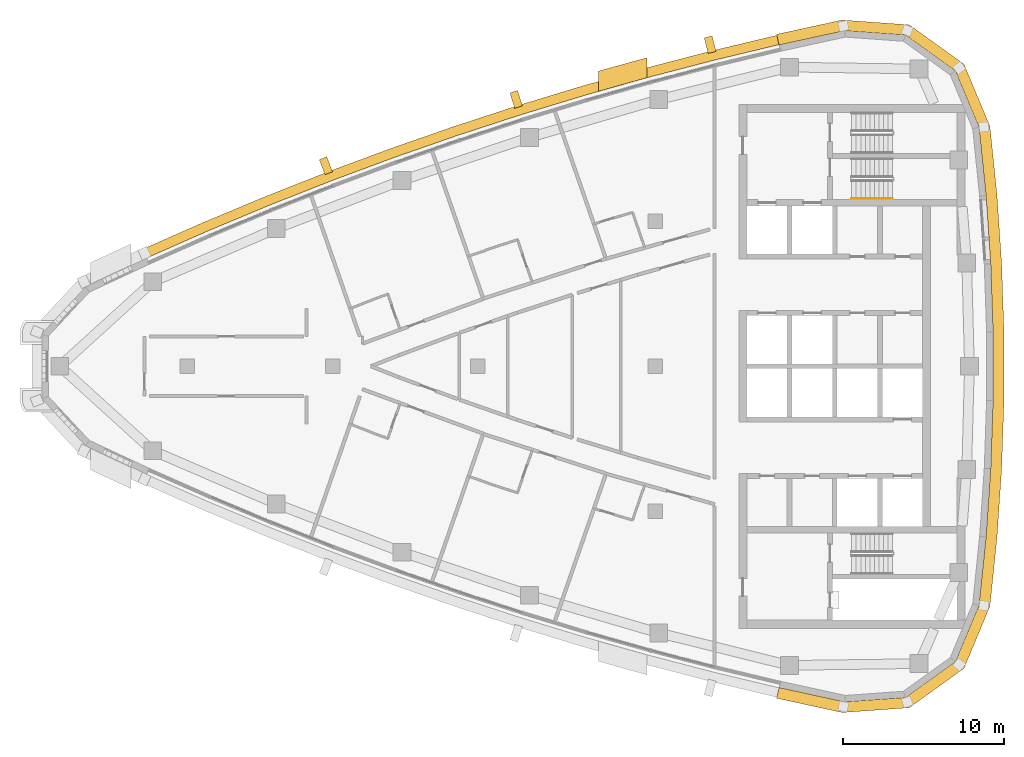
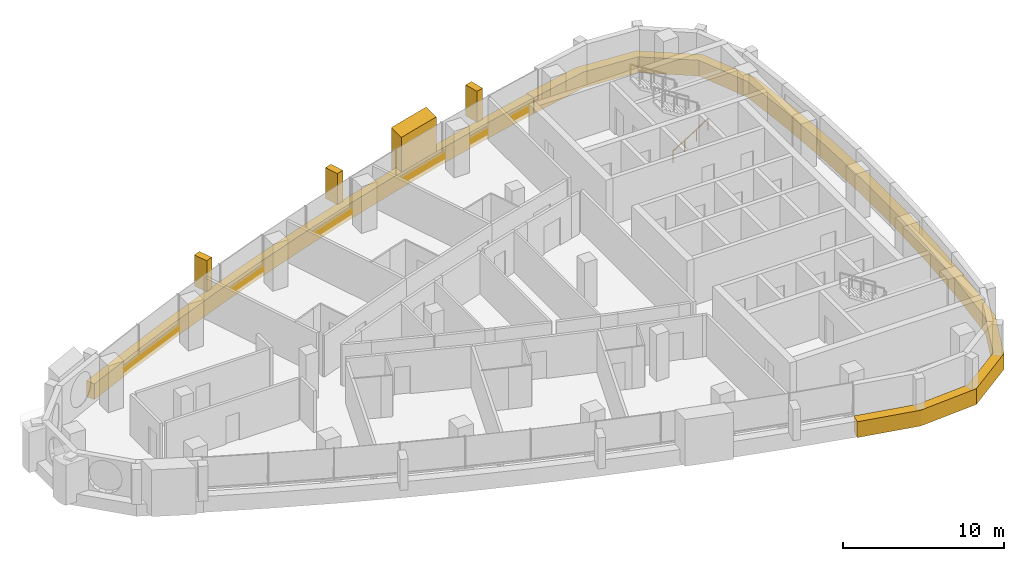
# One storey, part 13 of 14: 6 coverings, 1 railing.
"""IFC4 building model written with IfcOpenShell, lengths in metres."""

import ifcopenshell
import ifcopenshell.guid

model = None  # the IFC model being written
_history = None  # IfcOwnerHistory: only IFC2X3 demands one
_inside = {}  # id of a spatial element -> (the spatial element, [elements in it])
_under = {}  # id of a project, library or spatial element -> (it, [spatial elements below it])
_declared = {}  # id of a project -> (the project, [libraries it declares])
_typed = {}  # id of a type object -> (the type object, [elements of that type])
_made_of = {}  # id of a material, layer set ... -> (it, [elements and type objects made of it])


def new_model(schema):
    """Start an empty IFC model of exactly this schema.

    Asked for "IFC4X3", IfcOpenShell would pick the latest addendum, in which some entities
    have other attributes; the version numbers below select the first issue.
    IFC2X3 requires an IfcOwnerHistory on every rooted entity: one is made here for all.
    """
    global model, _history
    if schema == "IFC4X3":
        model = ifcopenshell.file(schema_version=(4, 3, 0, 0))
    else:
        model = ifcopenshell.file(schema=schema)
    _inside.clear()
    _under.clear()
    _declared.clear()
    _typed.clear()
    _made_of.clear()
    _history = None
    if model.schema == "IFC2X3":
        org = make("IfcOrganization", Name="unknown")
        user = make(
            "IfcPersonAndOrganization",
            ThePerson=make("IfcPerson", FamilyName="unknown"),
            TheOrganization=org,
        )
        app = make(
            "IfcApplication",
            ApplicationDeveloper=org,
            Version="unknown",
            ApplicationFullName="unknown",
            ApplicationIdentifier="unknown",
        )
        _history = make(
            "IfcOwnerHistory",
            OwningUser=user,
            OwningApplication=app,
            ChangeAction="ADDED",
            CreationDate=0,
        )
    return model


def make(cls, **values):
    """One entity of the class cls with the attributes given. An attribute that is None is left unset."""
    return model.create_entity(
        cls, **{name: value for name, value in values.items() if value is not None}
    )


def rooted(cls, **values):
    """An entity with a GlobalId (a new one), such as an element, a storey or a relation."""
    return make(cls, GlobalId=ifcopenshell.guid.new(), OwnerHistory=_history, **values)


def si_unit(unit_type, name, prefix=None):
    """IfcSIUnit, for example si_unit("LENGTHUNIT", "METRE", prefix="MILLI")."""
    return make("IfcSIUnit", UnitType=unit_type, Prefix=prefix, Name=name)


def assignment(units):
    """IfcUnitAssignment: the units of a project."""
    return None if units is None else make("IfcUnitAssignment", Units=units)


def point(xyz):
    """IfcCartesianPoint."""
    return None if xyz is None else make("IfcCartesianPoint", Coordinates=xyz)


def direction(xyz):
    """IfcDirection."""
    return None if xyz is None else make("IfcDirection", DirectionRatios=xyz)


def frame(location, z_axis=None, x_axis=None):
    """IfcAxis2Placement3D, a coordinate frame: its origin and axes. An axis left out is left unset."""
    return make(
        "IfcAxis2Placement3D",
        Location=point(location),
        Axis=direction(z_axis),
        RefDirection=direction(x_axis),
    )


def frame_2d(location, x_axis=None):
    """IfcAxis2Placement2D, a coordinate frame in the plane: its origin and x axis."""
    return make(
        "IfcAxis2Placement2D", Location=point(location), RefDirection=direction(x_axis)
    )


def origin():
    """The frame at (0, 0, 0) with its axes left unset."""
    return frame((0.0, 0.0, 0.0))


def origin_2d():
    """The frame at (0, 0) in the plane with its x axis left unset."""
    return frame_2d((0.0, 0.0))


def place(relative_to, where):
    """IfcLocalPlacement: puts the frame where relative to a parent placement (None: the world)."""
    return make(
        "IfcLocalPlacement", PlacementRelTo=relative_to, RelativePlacement=where
    )


def context(
    kind, dimensions, precision=None, world=None, true_north=None, identifier=None
):
    """IfcGeometricRepresentationContext, for example the 3D "Model" context."""
    return make(
        "IfcGeometricRepresentationContext",
        ContextIdentifier=identifier,
        ContextType=kind,
        CoordinateSpaceDimension=dimensions,
        Precision=precision,
        WorldCoordinateSystem=world,
        TrueNorth=true_north,
    )


def subcontext(parent, identifier, kind, view, scale=None):
    """IfcGeometricRepresentationSubContext, for example "Body" below "Model"."""
    return make(
        "IfcGeometricRepresentationSubContext",
        ContextIdentifier=identifier,
        ContextType=kind,
        ParentContext=parent,
        TargetScale=scale,
        TargetView=view,
    )


def project(units=None, contexts=None):
    """IfcProject with its units and contexts."""
    return rooted(
        "IfcProject",
        Name="project",
        RepresentationContexts=contexts,
        UnitsInContext=assignment(units),
    )


def spatial(cls, under=None, at=None, **own):
    """A site, building, storey or space (cls), placed at a placement, below another one or the project."""
    s = rooted(cls, ObjectPlacement=at, **own)
    if under is not None:
        _under.setdefault(under.id(), (under, []))[1].append(s)
    return s


def polyline(points):
    """IfcPolyline through the points."""
    return make("IfcPolyline", Points=[point(p) for p in points])


def profile(cls, at=None, kind="AREA", **sizes):
    """A parametric profile (cls). Its sizes go by their IFC names, for example OverallWidth=200.0."""
    return make(cls, ProfileType=kind, Position=at, **sizes)


def rectangle(**sizes):
    """IfcRectangleProfileDef."""
    return profile("IfcRectangleProfileDef", **sizes)


def circle(**sizes):
    """IfcCircleProfileDef."""
    return profile("IfcCircleProfileDef", **sizes)


def outline(outer, holes=None, kind="AREA"):
    """IfcArbitraryClosedProfileDef: a profile drawn as a closed curve; with holes, ...WithVoids."""
    if holes is None:
        return make("IfcArbitraryClosedProfileDef", ProfileType=kind, OuterCurve=outer)
    return make(
        "IfcArbitraryProfileDefWithVoids",
        ProfileType=kind,
        OuterCurve=outer,
        InnerCurves=holes,
    )


def extrude(swept, where, along, depth):
    """IfcExtrudedAreaSolid: the profile swept, set in the frame where, extruded along a direction by depth."""
    return make(
        "IfcExtrudedAreaSolid",
        SweptArea=swept,
        Position=where,
        ExtrudedDirection=direction(along),
        Depth=depth,
    )


def shape(context_of_items, identifier, shape_type, items):
    """IfcShapeRepresentation: the items that make up one representation, for example the "Body"."""
    return make(
        "IfcShapeRepresentation",
        ContextOfItems=context_of_items,
        RepresentationIdentifier=identifier,
        RepresentationType=shape_type,
        Items=items,
    )


def material(Name=None, Category=None):
    """IfcMaterial."""
    return make("IfcMaterial", Name=Name, Category=Category)


def layer(
    of_material, thickness, ventilated=None, Name=None, Category=None, Priority=None
):
    """IfcMaterialLayer: one layer of a wall or slab, of a material (None: an air gap)."""
    return make(
        "IfcMaterialLayer",
        Material=of_material,
        LayerThickness=thickness,
        IsVentilated=ventilated,
        Name=Name,
        Category=Category,
        Priority=Priority,
    )


def layer_set(layers, Name=None):
    """IfcMaterialLayerSet."""
    return make("IfcMaterialLayerSet", MaterialLayers=layers, LayerSetName=Name)


def made_of(thing, what):
    """Note that an element or type object is made of a material, layer set ...; save() writes the relation."""
    if what is not None:
        _made_of.setdefault(what.id(), (what, []))[1].append(thing)
    return thing


def type_object(cls, material=None, **own):
    """A type object (cls), such as IfcWallType, which elements share."""
    return made_of(rooted(cls, **own), material)


def element(
    cls,
    number,
    at=None,
    inside=None,
    cuts=None,
    type_object=None,
    material=None,
    context=None,
    identifier="Body",
    shape_type=None,
    held_by="IfcProductDefinitionShape",
    body=None,
    shapes=None,
    **own,
):
    """One element of the class cls, such as IfcWall. Its Tag is "e" and its number.

    at: its placement. inside: the storey or other place that contains it. cuts: it is an
    opening in that element (IfcRelVoidsElement). A single representation is given by context,
    identifier, shape_type and body (its items); several are given by shapes. held_by: the class
    of the entity that holds the representations. save() writes the other relations.
    """
    e = rooted(cls, Tag="e%d" % number, ObjectPlacement=at, **own)
    if body is not None:
        shapes = [shape(context, identifier, shape_type, body)]
    if shapes is not None:
        e.Representation = make(held_by, Representations=shapes)
    if inside is not None:
        _inside.setdefault(inside.id(), (inside, []))[1].append(e)
    if cuts is not None:
        rooted(
            "IfcRelVoidsElement", RelatingBuildingElement=cuts, RelatedOpeningElement=e
        )
    if type_object is not None:
        _typed.setdefault(type_object.id(), (type_object, []))[1].append(e)
    return made_of(e, material)


def aggregate(whole, parts):
    """IfcRelAggregates: a whole, such as a stair, and the parts it consists of."""
    return rooted("IfcRelAggregates", RelatingObject=whole, RelatedObjects=parts)


def save(model, path):
    """Write the relations noted so far, then the file.

    IfcRelAggregates (storeys below a building ...), IfcRelContainedInSpatialStructure (elements
    in a storey), IfcRelDefinesByType, IfcRelAssociatesMaterial and IfcRelDeclares: one each for
    every whole, place, type object, material and project.
    """
    for whole, parts in _under.values():
        aggregate(whole, parts)
    for where, things in _inside.values():
        rooted(
            "IfcRelContainedInSpatialStructure",
            RelatedElements=things,
            RelatingStructure=where,
        )
    for kind, things in _typed.values():
        rooted("IfcRelDefinesByType", RelatedObjects=things, RelatingType=kind)
    for what, things in _made_of.values():
        rooted("IfcRelAssociatesMaterial", RelatedObjects=things, RelatingMaterial=what)
    for by, libraries in _declared.values():
        rooted("IfcRelDeclares", RelatingContext=by, RelatedDefinitions=libraries)
    model.write(path)


model = new_model("IFC4")

# Units and contexts
model_context = context("Model", 3, precision=1e-05, world=origin(), true_north=direction((0.0, 1.0)))
body_context = subcontext(model_context, "Body", "Model", "MODEL_VIEW")
ifc_project = project(units=[si_unit("LENGTHUNIT", "METRE"), si_unit("AREAUNIT", "SQUARE_METRE"), si_unit("VOLUMEUNIT", "CUBIC_METRE"), si_unit("PLANEANGLEUNIT", "RADIAN"), si_unit("MASSUNIT", "GRAM", prefix="KILO")], contexts=[model_context])

# Site, building, storey
site_placement = place(None, origin())
site = spatial("IfcSite", under=ifc_project, at=site_placement, CompositionType="ELEMENT")
building_placement = place(site_placement, origin())
building = spatial("IfcBuilding", under=site, at=building_placement, Name="Ostrand Prow Hotel Tower", CompositionType="ELEMENT")
storey_placement = place(building_placement, frame((0.0, 0.0, 299.85009765625)))
storey = spatial("IfcBuildingStorey", under=building, at=storey_placement, Name="L76", CompositionType="ELEMENT", Elevation=299.85009765625)

# Coverings
ifc_material_1 = material(Name="Bronze anodised aluminium cladding", Category="aluminium")
ifc_layer_1 = layer(ifc_material_1, 0.60009765625)
ifc_layer_set_1 = layer_set([ifc_layer_1], Name="Bronze anodised aluminium cladding")
covering_type_1 = type_object("IfcCoveringType", Name="Bronze spandrel band 1200x600", PredefinedType="CLADDING", material=ifc_layer_set_1)
covering_1_placement = place(storey_placement, frame((0.0, 0.0, -0.300048828125)))
element("IfcCovering", 1, at=covering_1_placement, inside=storey, type_object=covering_type_1, Name="Spandrel band N1", PredefinedType="CLADDING", context=body_context, shape_type="SweptSolid", body=[
    extrude(outline(polyline([(52.55615234375, 20.52880859375), (48.51220703125, 19.56103515625), (44.48828125, 18.51220703125), (40.486328125, 17.382568359375), (36.508056640625, 16.172607421875), (32.5546875, 14.88330078125), (28.62841796875, 13.514404296875), (24.72998046875, 12.067138671875), (20.86181640625, 10.541748046875), (17.02490234375, 8.938720703125), (13.220947265625, 7.25927734375), (13.468994140625, 6.712890625), (17.26171875, 8.3876953125), (21.08740234375, 9.98583984375), (24.944580078125, 11.5068359375), (28.83154296875, 12.949951171875), (32.74658203125, 14.314697265625), (36.6884765625, 15.6005859375), (40.6552734375, 16.806884765625), (44.6455078125, 17.93310546875), (48.65771484375, 18.97900390625), (52.68994140625, 19.94384765625), (52.55615234375, 20.52880859375)])), origin(), (0.0, 0.0, 1.0), 1.199951171875),
])
covering_2_placement = place(storey_placement, frame((0.0, 0.0, -0.300048828125)))
element("IfcCovering", 2, at=covering_2_placement, inside=storey, type_object=covering_type_1, Name="Spandrel band back 1", PredefinedType="CLADDING", context=body_context, shape_type="SweptSolid", body=[
    extrude(outline(polyline([(52.542236328125, -20.58984375), (56.606201171875, -21.476318359375), (60.771728515625, -21.17919921875), (64.162841796875, -18.741455078125), (65.77197265625, -14.887451171875), (66.2080078125, -10.646240234375), (66.498779296875, -6.392822265625), (66.644287109375, -2.131591796875), (66.644287109375, 2.131591796875), (66.498779296875, 6.392822265625), (66.2080078125, 10.646240234375), (65.77197265625, 14.887451171875), (64.162841796875, 18.741455078125), (60.771728515625, 21.17919921875), (56.606201171875, 21.476318359375), (52.542236328125, 20.58984375), (52.69384765625, 19.927001953125), (56.744384765625, 20.810546875), (60.540283203125, 20.539794921875), (63.630615234375, 18.318359375), (65.0966796875, 14.806396484375), (65.530517578125, 10.58837890625), (65.819580078125, 6.35791015625), (65.964599609375, 2.1201171875), (65.964599609375, -2.1201171875), (65.819580078125, -6.35791015625), (65.530517578125, -10.58837890625), (65.0966796875, -14.806396484375), (63.630615234375, -18.318359375), (60.540283203125, -20.539794921875), (56.744384765625, -20.810546875), (52.69384765625, -19.927001953125), (52.542236328125, -20.58984375)])), origin(), (0.0, 0.0, 1.0), 1.199951171875),
])
ifc_material_2 = material(Name="Limestone cladding", Category="masonry")
ifc_layer_2 = layer(ifc_material_2, 5.0)
ifc_layer_set_2 = layer_set([ifc_layer_2], Name="Limestone cladding")
covering_type_2 = type_object("IfcCoveringType", Name="Portal jamb pilaster limestone", PredefinedType="CLADDING", material=ifc_layer_set_2)
covering_3_placement = place(storey_placement, origin())
element("IfcCovering", 3, at=covering_3_placement, inside=storey, type_object=covering_type_2, Name="Portal jamb NB L76", PredefinedType="CLADDING", context=body_context, shape_type="SweptSolid", body=[
    extrude(outline(polyline([(41.5, 17.052490234375), (42.5, 17.338134765625), (43.5, 17.61865234375), (44.5, 17.8935546875), (44.5, 19.136962890625), (43.5, 18.86376953125), (42.5, 18.585205078125), (41.5, 18.301025390625), (41.5, 17.052490234375)])), origin(), (0.0, 0.0, 1.0), 3.5498046875),
])
ifc_material_3 = material(Name="Limestone cladding", Category="masonry")
ifc_layer_3 = layer(ifc_material_3, 0.5)
ifc_layer_set_3 = layer_set([ifc_layer_3], Name="Limestone cladding")
covering_type_3 = type_object("IfcCoveringType", Name="Precast stone fin 500x900", PredefinedType="CLADDING", material=ifc_layer_set_3)
for number, where, z_axis, x_axis, name in (
    (4, (48.536376953125, 19.464111328125, 0.89990234375), (0.0, 0.0, 1.0), (-0.242707978632, 0.970099395479, 0.0), "Stone fin N 2"),
    (5, (36.5380859375, 16.077392578125, 0.89990234375), (0.0, 0.0, 1.0), (-0.30058207316, 0.953755952692, 0.0), "Stone fin N 5"),
):
    element("IfcCovering", number, at=place(storey_placement, frame(where, z_axis=z_axis, x_axis=x_axis)), inside=storey, type_object=covering_type_3, Name=name, PredefinedType="CLADDING", context=body_context, shape_type="SweptSolid", body=[
        extrude(rectangle(XDim=0.999755859375, YDim=0.5, at=frame_2d((0.5, 0.0))), origin(), (0.0, 0.0, 1.0), 2.35009765625),
    ])
covering_4_placement = place(storey_placement, frame((24.765869140625, 11.973876953125, 0.89990234375), z_axis=(0.0, 0.0, 1.0), x_axis=(-0.357456978517, 0.933929605757, 0.0)))
element("IfcCovering", 6, at=covering_4_placement, inside=storey, type_object=covering_type_3, Name="Stone fin N 8", PredefinedType="CLADDING", context=body_context, shape_type="SweptSolid", body=[
    extrude(rectangle(XDim=1.0, YDim=0.5, at=frame_2d((0.5, 0.0))), origin(), (0.0, 0.0, 1.0), 2.35009765625),
])

# Railing
ifc_material_4 = material(Name="Stainless steel", Category="steel")
railing_type = type_object("IfcRailingType", Name="Stair handrail 900", PredefinedType="HANDRAIL", material=ifc_material_4)
railing_placement = place(storey_placement, frame((57.199951171875, 10.39990234375, 0.177490234375)))
element("IfcRailing", 7, at=railing_placement, inside=storey, type_object=railing_type, Name="L76 ST1C stair handrail 1", PredefinedType="HANDRAIL", context=body_context, shape_type="SweptSolid", body=[
    extrude(circle(Radius=0.02392578125, at=origin_2d()), frame((0.0, 0.0, 0.8759765625), z_axis=(0.84460694969, 0.0, 0.535386869969), x_axis=(0.0, 1.0, 0.0)), (0.0, 0.0, 1.0), 2.983642578125),
    extrude(circle(Radius=0.02099609375, at=origin_2d()), origin(), (0.0, 0.0, 1.0), 0.851806640625),
    extrude(circle(Radius=0.02099609375, at=origin_2d()), frame((0.840087890625, 0.0, 0.532470703125)), (0.0, 0.0, 1.0), 0.851806640625),
    extrude(circle(Radius=0.02099609375, at=origin_2d()), frame((1.679931640625, 0.0, 1.06494140625)), (0.0, 0.0, 1.0), 0.851806640625),
    extrude(circle(Radius=0.02099609375, at=origin_2d()), frame((2.52001953125, 0.0, 1.597412109375)), (0.0, 0.0, 1.0), 0.851806640625),
])

save(model, "model.ifc")
